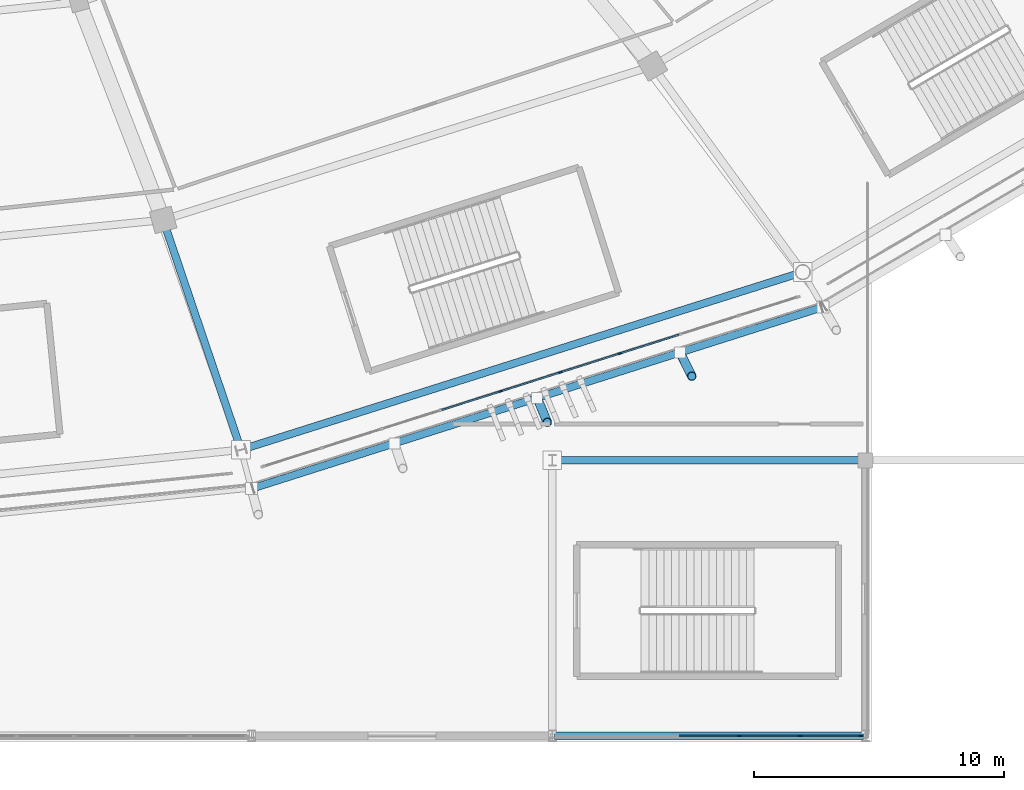
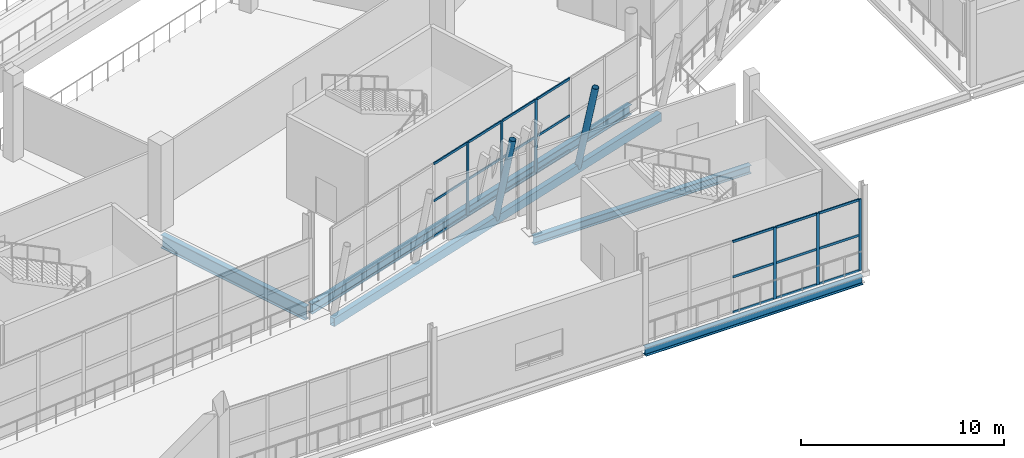
# One storey, part 50 of 178: 29 members, 5 beams, 2 elements without a shape of their own.
"""IFC4 building model written with IfcOpenShell, lengths in metres."""

from ifc_helpers import new_model, si_unit, direction, frame, origin, origin_2d, place, context, subcontext, project, spatial, rectangle, hollow_rectangle, hollow_circle, i_section, extrude, material, material_profile, profile_set, type_object, element, aggregate, save


model = new_model("IFC4")

# Units and contexts
model_context = context("Model", 3, precision=1e-05, world=origin(), true_north=direction((0.0, 1.0)))
body_context = subcontext(model_context, "Body", "Model", "MODEL_VIEW")
ifc_project = project(units=[si_unit("LENGTHUNIT", "METRE"), si_unit("AREAUNIT", "SQUARE_METRE"), si_unit("VOLUMEUNIT", "CUBIC_METRE"), si_unit("PLANEANGLEUNIT", "RADIAN"), si_unit("MASSUNIT", "GRAM", prefix="KILO")], contexts=[model_context])

# Site, building, storey
site_placement = place(None, origin())
site = spatial("IfcSite", under=ifc_project, at=site_placement, CompositionType="ELEMENT")
building_placement = place(site_placement, origin())
building = spatial("IfcBuilding", under=site, at=building_placement, Name="Zlatoyarsky Gate Stadium", CompositionType="ELEMENT")
storey_placement = place(building_placement, frame((0.0, 0.0, 5.39990234375)))
storey = spatial("IfcBuildingStorey", under=building, at=storey_placement, Name="L01", CompositionType="ELEMENT", Elevation=5.39990234375)

# Curtain wall, members
ifc_material_1 = material(Name="Thermally broken anodised aluminium curtain wall", Category="aluminium")
curtain_wall_type_1 = type_object("IfcCurtainWallType", Name="UNITISED HOSPITALITY GLAZING L01", PredefinedType="USERDEFINED", material=ifc_material_1)
curtain_wall_1_placement = place(storey_placement, origin())
curtain_wall_1 = element("IfcCurtainWall", 1, at=curtain_wall_1_placement, inside=storey, type_object=curtain_wall_type_1, Name="Curtain wall CW-L01-19", ObjectType="UNITISED GLAZING", PredefinedType="USERDEFINED")
ifc_material_2 = material(Name="Anodised aluminium 6063-T6", Category="aluminium")
ifc_material_profile_1 = material_profile(ifc_material_2, rectangle(XDim=0.06494140625, YDim=0.159912109375, at=origin_2d()), Name="ALU 65X160")
ifc_profile_set_1 = profile_set([ifc_material_profile_1], Name="Anodised aluminium 6063-T6")
member_type_1 = type_object("IfcMemberType", Name="ALUMINIUM MULLION 65X160", PredefinedType="MULLION", material=ifc_profile_set_1)
member_1_placement = place(storey_placement, frame((145.4404296875, 13.75634765625, 0.0), z_axis=(0.0, 0.0, 1.0), x_axis=(-0.302333944964, 0.953202069722, 0.0)))
member_1 = element("IfcMember", 2, at=member_1_placement, type_object=member_type_1, Name="CW-UG1 mullion 5", PredefinedType="MULLION", context=body_context, shape_type="SweptSolid", body=[
    extrude(rectangle(XDim=0.06494140625, YDim=0.159912109375, at=origin_2d()), origin(), (0.0, 0.0, 1.0), 4.400146484375),
])
member_2_placement = place(storey_placement, frame((147.8193359375, 14.5107421875, 0.0), z_axis=(0.0, 0.0, 1.0), x_axis=(-0.302333944964, 0.953202069722, 0.0)))
member_2 = element("IfcMember", 3, at=member_2_placement, type_object=member_type_1, Name="CW-UG1 mullion 6", PredefinedType="MULLION", context=body_context, shape_type="SweptSolid", body=[
    extrude(rectangle(XDim=0.06494140625, YDim=0.159912109375, at=origin_2d()), origin(), (0.0, 0.0, 1.0), 4.400146484375),
])
member_3_placement = place(storey_placement, frame((150.197998046875, 15.265380859375, 0.0), z_axis=(0.0, 0.0, 1.0), x_axis=(-0.302333944964, 0.953202069722, 0.0)))
member_3 = element("IfcMember", 4, at=member_3_placement, type_object=member_type_1, Name="CW-UG1 mullion 7", PredefinedType="MULLION", context=body_context, shape_type="SweptSolid", body=[
    extrude(rectangle(XDim=0.06494140625, YDim=0.159912109375, at=origin_2d()), origin(), (0.0, 0.0, 1.0), 4.400146484375),
])

curtain_wall_type_2 = type_object("IfcCurtainWallType", Name="WINTER GARDEN CONSERVATORY GLAZING", PredefinedType="USERDEFINED", material=ifc_material_1)
curtain_wall_2_placement = place(storey_placement, origin())
curtain_wall_2 = element("IfcCurtainWall", 5, at=curtain_wall_2_placement, inside=storey, type_object=curtain_wall_type_2, Name="Curtain wall CW-V3_SOUTH-L01-160", ObjectType="UNITISED GLAZING", PredefinedType="USERDEFINED")
member_4_placement = place(storey_placement, frame((154.967529296875, 0.0, 0.0), z_axis=(0.0, 0.0, 1.0), x_axis=(0.0, 1.0, 0.0)))
member_4 = element("IfcMember", 6, at=member_4_placement, type_object=member_type_1, Name="CW-WG1 mullion 4", PredefinedType="MULLION", context=body_context, shape_type="SweptSolid", body=[
    extrude(rectangle(XDim=0.06494140625, YDim=0.159912109375, at=origin_2d()), origin(), (0.0, 0.0, 1.0), 4.300048828125),
])
member_5_placement = place(storey_placement, frame((157.40283203125, 0.0, 0.0), z_axis=(0.0, 0.0, 1.0), x_axis=(0.0, 1.0, 0.0)))
member_5 = element("IfcMember", 7, at=member_5_placement, type_object=member_type_1, Name="CW-WG1 mullion 5", PredefinedType="MULLION", context=body_context, shape_type="SweptSolid", body=[
    extrude(rectangle(XDim=0.06494140625, YDim=0.159912109375, at=origin_2d()), origin(), (0.0, 0.0, 1.0), 4.300048828125),
])
member_6_placement = place(storey_placement, frame((159.805419921875, 0.0, 0.0), z_axis=(0.0, 0.0, 1.0), x_axis=(0.0, 1.0, 0.0)))
member_6 = element("IfcMember", 8, at=member_6_placement, type_object=member_type_1, Name="CW-WG1 mullion 6", PredefinedType="MULLION", context=body_context, shape_type="SweptSolid", body=[
    extrude(rectangle(XDim=0.06494140625, YDim=0.159912109375, at=origin_2d()), origin(), (0.0, 0.0, 1.0), 4.300048828125),
])

# Member
ifc_material_profile_2 = material_profile(ifc_material_2, rectangle(XDim=0.06494140625, YDim=0.139892578125, at=origin_2d()), Name="ALU 65X140")
ifc_profile_set_2 = profile_set([ifc_material_profile_2], Name="Anodised aluminium 6063-T6")
member_type_2 = type_object("IfcMemberType", Name="ALUMINIUM TRANSOM 65X140", PredefinedType="USERDEFINED", material=ifc_profile_set_2)
member_7_placement = place(storey_placement, frame((143.092529296875, 13.011474609375, 0.03271484375), z_axis=(0.953173451414, 0.302424158294, 0.0), x_axis=(-0.302424158294, 0.953173451414, 0.0)))
member_7 = element("IfcMember", 9, at=member_7_placement, type_object=member_type_2, Name="CW-UG1 transom 4.1", ObjectType="TRANSOM", PredefinedType="USERDEFINED", context=body_context, shape_type="SweptSolid", body=[
    extrude(rectangle(XDim=0.06494140625, YDim=0.139892578125, at=origin_2d()), origin(), (0.0, 0.0, 1.0), 2.4306640625),
])

member_8_placement = place(storey_placement, frame((143.092529296875, 13.011474609375, 2.150146484375), z_axis=(0.953173451414, 0.302424158294, 0.0), x_axis=(-0.302424158294, 0.953173451414, 0.0)))
member_8 = element("IfcMember", 10, at=member_8_placement, type_object=member_type_2, Name="CW-UG1 transom 4.2", ObjectType="TRANSOM", PredefinedType="USERDEFINED", context=body_context, shape_type="SweptSolid", body=[
    extrude(rectangle(XDim=0.06494140625, YDim=0.139892578125, at=origin_2d()), origin(), (0.0, 0.0, 1.0), 2.4306640625),
])

member_9_placement = place(storey_placement, frame((143.092529296875, 13.011474609375, 4.36767578125), z_axis=(0.953173451414, 0.302424158294, 0.0), x_axis=(-0.302424158294, 0.953173451414, 0.0)))
member_9 = element("IfcMember", 11, at=member_9_placement, type_object=member_type_2, Name="CW-UG1 transom 4.3", ObjectType="TRANSOM", PredefinedType="USERDEFINED", context=body_context, shape_type="SweptSolid", body=[
    extrude(rectangle(XDim=0.06494140625, YDim=0.139892578125, at=origin_2d()), origin(), (0.0, 0.0, 1.0), 2.4306640625),
])

member_10_placement = place(storey_placement, frame((145.471435546875, 13.76611328125, 0.03271484375), z_axis=(0.953202400963, 0.302332900622, 0.0), x_axis=(-0.302332900622, 0.953202400963, 0.0)))
member_10 = element("IfcMember", 12, at=member_10_placement, type_object=member_type_2, Name="CW-UG1 transom 5.1", ObjectType="TRANSOM", PredefinedType="USERDEFINED", context=body_context, shape_type="SweptSolid", body=[
    extrude(rectangle(XDim=0.06494140625, YDim=0.139892578125, at=origin_2d()), origin(), (0.0, 0.0, 1.0), 2.4306640625),
])

member_11_placement = place(storey_placement, frame((145.471435546875, 13.76611328125, 2.150146484375), z_axis=(0.953202400963, 0.302332900622, 0.0), x_axis=(-0.302332900622, 0.953202400963, 0.0)))
member_11 = element("IfcMember", 13, at=member_11_placement, type_object=member_type_2, Name="CW-UG1 transom 5.2", ObjectType="TRANSOM", PredefinedType="USERDEFINED", context=body_context, shape_type="SweptSolid", body=[
    extrude(rectangle(XDim=0.06494140625, YDim=0.139892578125, at=origin_2d()), origin(), (0.0, 0.0, 1.0), 2.4306640625),
])

member_12_placement = place(storey_placement, frame((145.471435546875, 13.76611328125, 4.36767578125), z_axis=(0.953202400963, 0.302332900622, 0.0), x_axis=(-0.302332900622, 0.953202400963, 0.0)))
member_12 = element("IfcMember", 14, at=member_12_placement, type_object=member_type_2, Name="CW-UG1 transom 5.3", ObjectType="TRANSOM", PredefinedType="USERDEFINED", context=body_context, shape_type="SweptSolid", body=[
    extrude(rectangle(XDim=0.06494140625, YDim=0.139892578125, at=origin_2d()), origin(), (0.0, 0.0, 1.0), 2.4306640625),
])

member_13_placement = place(storey_placement, frame((147.85009765625, 14.520751953125, 0.03271484375), z_axis=(0.953211580639, 0.302303957194, 0.0), x_axis=(-0.302303957194, 0.953211580639, 0.0)))
member_13 = element("IfcMember", 15, at=member_13_placement, type_object=member_type_2, Name="CW-UG1 transom 6.1", ObjectType="TRANSOM", PredefinedType="USERDEFINED", context=body_context, shape_type="SweptSolid", body=[
    extrude(rectangle(XDim=0.06494140625, YDim=0.139892578125, at=origin_2d()), origin(), (0.0, 0.0, 1.0), 2.430908203125),
])

member_14_placement = place(storey_placement, frame((147.85009765625, 14.520751953125, 2.150146484375), z_axis=(0.953211580639, 0.302303957194, 0.0), x_axis=(-0.302303957194, 0.953211580639, 0.0)))
member_14 = element("IfcMember", 16, at=member_14_placement, type_object=member_type_2, Name="CW-UG1 transom 6.2", ObjectType="TRANSOM", PredefinedType="USERDEFINED", context=body_context, shape_type="SweptSolid", body=[
    extrude(rectangle(XDim=0.06494140625, YDim=0.139892578125, at=origin_2d()), origin(), (0.0, 0.0, 1.0), 2.430908203125),
])

member_15_placement = place(storey_placement, frame((147.85009765625, 14.520751953125, 4.36767578125), z_axis=(0.953211580639, 0.302303957194, 0.0), x_axis=(-0.302303957194, 0.953211580639, 0.0)))
member_15 = element("IfcMember", 17, at=member_15_placement, type_object=member_type_2, Name="CW-UG1 transom 6.3", ObjectType="TRANSOM", PredefinedType="USERDEFINED", context=body_context, shape_type="SweptSolid", body=[
    extrude(rectangle(XDim=0.06494140625, YDim=0.139892578125, at=origin_2d()), origin(), (0.0, 0.0, 1.0), 2.430908203125),
])

member_16_placement = place(storey_placement, frame((150.22900390625, 15.275146484375, 0.03271484375), z_axis=(0.953202400963, 0.302332900622, 0.0), x_axis=(-0.302332900622, 0.953202400963, 0.0)))
member_16 = element("IfcMember", 18, at=member_16_placement, type_object=member_type_2, Name="CW-UG1 transom 7.1", ObjectType="TRANSOM", PredefinedType="USERDEFINED", context=body_context, shape_type="SweptSolid", body=[
    extrude(rectangle(XDim=0.06494140625, YDim=0.139892578125, at=origin_2d()), origin(), (0.0, 0.0, 1.0), 2.4306640625),
])

member_17_placement = place(storey_placement, frame((150.22900390625, 15.275146484375, 2.150146484375), z_axis=(0.953202400963, 0.302332900622, 0.0), x_axis=(-0.302332900622, 0.953202400963, 0.0)))
member_17 = element("IfcMember", 19, at=member_17_placement, type_object=member_type_2, Name="CW-UG1 transom 7.2", ObjectType="TRANSOM", PredefinedType="USERDEFINED", context=body_context, shape_type="SweptSolid", body=[
    extrude(rectangle(XDim=0.06494140625, YDim=0.139892578125, at=origin_2d()), origin(), (0.0, 0.0, 1.0), 2.4306640625),
])

member_18_placement = place(storey_placement, frame((150.22900390625, 15.275146484375, 4.36767578125), z_axis=(0.953202400963, 0.302332900622, 0.0), x_axis=(-0.302332900622, 0.953202400963, 0.0)))
member_18 = element("IfcMember", 20, at=member_18_placement, type_object=member_type_2, Name="CW-UG1 transom 7.3", ObjectType="TRANSOM", PredefinedType="USERDEFINED", context=body_context, shape_type="SweptSolid", body=[
    extrude(rectangle(XDim=0.06494140625, YDim=0.139892578125, at=origin_2d()), origin(), (0.0, 0.0, 1.0), 2.4306640625),
])

aggregate(curtain_wall_1, [member_1, member_2, member_3, member_7, member_8, member_9, member_10, member_11, member_12, member_13, member_14, member_15, member_16, member_17, member_18])

member_19_placement = place(storey_placement, frame((152.56494140625, 0.0, 0.03271484375), z_axis=(1.0, 0.0, 0.0), x_axis=(0.0, 1.0, 0.0)))
member_19 = element("IfcMember", 21, at=member_19_placement, type_object=member_type_2, Name="CW-WG1 transom 3.1", ObjectType="TRANSOM", PredefinedType="USERDEFINED", context=body_context, shape_type="SweptSolid", body=[
    extrude(rectangle(XDim=0.06494140625, YDim=0.139892578125, at=origin_2d()), origin(), (0.0, 0.0, 1.0), 2.3701171875),
])

member_20_placement = place(storey_placement, frame((152.56494140625, 0.0, 2.150146484375), z_axis=(1.0, 0.0, 0.0), x_axis=(0.0, 1.0, 0.0)))
member_20 = element("IfcMember", 22, at=member_20_placement, type_object=member_type_2, Name="CW-WG1 transom 3.2", ObjectType="TRANSOM", PredefinedType="USERDEFINED", context=body_context, shape_type="SweptSolid", body=[
    extrude(rectangle(XDim=0.06494140625, YDim=0.139892578125, at=origin_2d()), origin(), (0.0, 0.0, 1.0), 2.3701171875),
])

member_21_placement = place(storey_placement, frame((152.56494140625, 0.0, 4.267578125), z_axis=(1.0, 0.0, 0.0), x_axis=(0.0, 1.0, 0.0)))
member_21 = element("IfcMember", 23, at=member_21_placement, type_object=member_type_2, Name="CW-WG1 transom 3.3", ObjectType="TRANSOM", PredefinedType="USERDEFINED", context=body_context, shape_type="SweptSolid", body=[
    extrude(rectangle(XDim=0.06494140625, YDim=0.139892578125, at=origin_2d()), origin(), (0.0, 0.0, 1.0), 2.3701171875),
])

member_22_placement = place(storey_placement, frame((155.0, 0.0, 0.03271484375), z_axis=(1.0, 0.0, 0.0), x_axis=(0.0, 1.0, 0.0)))
member_22 = element("IfcMember", 24, at=member_22_placement, type_object=member_type_2, Name="CW-WG1 transom 4.1", ObjectType="TRANSOM", PredefinedType="USERDEFINED", context=body_context, shape_type="SweptSolid", body=[
    extrude(rectangle(XDim=0.06494140625, YDim=0.139892578125, at=origin_2d()), origin(), (0.0, 0.0, 1.0), 2.370361328125),
])

member_23_placement = place(storey_placement, frame((155.0, 0.0, 2.150146484375), z_axis=(1.0, 0.0, 0.0), x_axis=(0.0, 1.0, 0.0)))
member_23 = element("IfcMember", 25, at=member_23_placement, type_object=member_type_2, Name="CW-WG1 transom 4.2", ObjectType="TRANSOM", PredefinedType="USERDEFINED", context=body_context, shape_type="SweptSolid", body=[
    extrude(rectangle(XDim=0.06494140625, YDim=0.139892578125, at=origin_2d()), origin(), (0.0, 0.0, 1.0), 2.370361328125),
])

member_24_placement = place(storey_placement, frame((155.0, 0.0, 4.267578125), z_axis=(1.0, 0.0, 0.0), x_axis=(0.0, 1.0, 0.0)))
member_24 = element("IfcMember", 26, at=member_24_placement, type_object=member_type_2, Name="CW-WG1 transom 4.3", ObjectType="TRANSOM", PredefinedType="USERDEFINED", context=body_context, shape_type="SweptSolid", body=[
    extrude(rectangle(XDim=0.06494140625, YDim=0.139892578125, at=origin_2d()), origin(), (0.0, 0.0, 1.0), 2.370361328125),
])

member_25_placement = place(storey_placement, frame((157.435302734375, 0.0, 0.03271484375), z_axis=(1.0, 0.0, 0.0), x_axis=(0.0, 1.0, 0.0)))
member_25 = element("IfcMember", 27, at=member_25_placement, type_object=member_type_2, Name="CW-WG1 transom 5.1", ObjectType="TRANSOM", PredefinedType="USERDEFINED", context=body_context, shape_type="SweptSolid", body=[
    extrude(rectangle(XDim=0.06494140625, YDim=0.139892578125, at=origin_2d()), origin(), (0.0, 0.0, 1.0), 2.337646484375),
])

member_26_placement = place(storey_placement, frame((157.435302734375, 0.0, 2.150146484375), z_axis=(1.0, 0.0, 0.0), x_axis=(0.0, 1.0, 0.0)))
member_26 = element("IfcMember", 28, at=member_26_placement, type_object=member_type_2, Name="CW-WG1 transom 5.2", ObjectType="TRANSOM", PredefinedType="USERDEFINED", context=body_context, shape_type="SweptSolid", body=[
    extrude(rectangle(XDim=0.06494140625, YDim=0.139892578125, at=origin_2d()), origin(), (0.0, 0.0, 1.0), 2.337646484375),
])

member_27_placement = place(storey_placement, frame((157.435302734375, 0.0, 4.267578125), z_axis=(1.0, 0.0, 0.0), x_axis=(0.0, 1.0, 0.0)))
member_27 = element("IfcMember", 29, at=member_27_placement, type_object=member_type_2, Name="CW-WG1 transom 5.3", ObjectType="TRANSOM", PredefinedType="USERDEFINED", context=body_context, shape_type="SweptSolid", body=[
    extrude(rectangle(XDim=0.06494140625, YDim=0.139892578125, at=origin_2d()), origin(), (0.0, 0.0, 1.0), 2.337646484375),
])

aggregate(curtain_wall_2, [member_4, member_5, member_6, member_19, member_20, member_21, member_22, member_23, member_24, member_25, member_26, member_27])

# Members
ifc_material_3 = material(Name="Steel S355", Category="steel")
ifc_material_profile_3 = material_profile(ifc_material_3, hollow_circle(Radius=0.177734375, WallThickness=0.02001953125, at=origin_2d()), Name="CHS 355.6X20")
ifc_profile_set_3 = profile_set([ifc_material_profile_3], Name="Steel S355")
member_type_3 = type_object("IfcMemberType", Name="STEEL LEANING RIB RING STRUT CHS 355.6X20", PredefinedType="STRUT", material=ifc_profile_set_3)
member_28_placement = place(storey_placement, frame((146.8955078125, 13.492431640625, -0.5498046875), z_axis=(0.075999402803, -0.18358118711, 0.98006226257), x_axis=(0.923954987956, 0.382501215988, 0.0)))
element("IfcMember", 30, at=member_28_placement, inside=storey, type_object=member_type_3, Name="Outward-leaning bowl louvre fin rib L01 19-2", PredefinedType="STRUT", context=body_context, shape_type="SweptSolid", body=[
    extrude(hollow_circle(Radius=0.177734375, WallThickness=0.02001953125, at=origin_2d()), origin(), (0.0, 0.0, 1.0), 5.326171875),
])
member_29_placement = place(storey_placement, frame((152.599853515625, 15.305908203125, -0.5498046875), z_axis=(0.088092869249, -0.178569104367, 0.979975877944), x_axis=(0.896808320254, 0.442419299673, 0.0)))
element("IfcMember", 31, at=member_29_placement, inside=storey, type_object=member_type_3, Name="Outward-leaning bowl louvre fin rib L01 19-3", PredefinedType="STRUT", context=body_context, shape_type="SweptSolid", body=[
    extrude(hollow_circle(Radius=0.177734375, WallThickness=0.02001953125, at=origin_2d()), origin(), (0.0, 0.0, 1.0), 5.32666015625),
])

# Beams
ifc_material_profile_4 = material_profile(ifc_material_3, hollow_rectangle(XDim=0.300048828125, YDim=0.5, WallThickness=0.02001953125, at=origin_2d()), Name="RHS 500X300X20")
ifc_profile_set_4 = profile_set([ifc_material_profile_4], Name="Steel S355")
beam_type_1 = type_object("IfcBeamType", Name="STEEL LOUVRE CARRIER SPANDREL RHS 500X300X20", PredefinedType="SPANDREL", material=ifc_profile_set_4)
beam_1_placement = place(storey_placement, frame((135.505615234375, 9.87158203125, -0.5498046875), z_axis=(0.953005292775, 0.302953646525, 0.0), x_axis=(-0.302953646525, 0.953005292775, 0.0)))
element("IfcBeam", 32, at=beam_1_placement, inside=storey, type_object=beam_type_1, Name="Beam SP-RHS500 BM-L01-SPD-19", PredefinedType="SPANDREL", context=body_context, shape_type="SweptSolid", body=[
    extrude(hollow_rectangle(XDim=0.300048828125, YDim=0.5, WallThickness=0.02001953125, at=origin_2d()), origin(), (0.0, 0.0, 1.0), 23.90283203125),
])
ifc_material_profile_5 = material_profile(ifc_material_3, i_section(OverallWidth=0.300048828125, OverallDepth=0.5, WebThickness=0.014404296875, FlangeThickness=0.028076171875, FilletRadius=0.027099609375, at=origin_2d()), Name="HEB 500")
ifc_profile_set_5 = profile_set([ifc_material_profile_5], Name="Steel S355")
beam_type_2 = type_object("IfcBeamType", Name="STEEL PRIMARY GIRDER HEB 500", PredefinedType="BEAM", material=ifc_profile_set_5)
for number, where, z_axis, x_axis, name in (
    (33, (147.580078125, 0.0, -0.5498046875), (1.0, 0.0, 0.0), (0.0, 1.0, 0.0), "Beam G-HEB500 BM-L01-WGX-13-A"),
    (34, (147.580078125, 11.0, -0.5498046875), (1.0, 0.0, 0.0), (0.0, 1.0, 0.0), "Beam G-HEB500 BM-L01-WGX-13-B"),
):
    element("IfcBeam", number, at=place(storey_placement, frame(where, z_axis=z_axis, x_axis=x_axis)), inside=storey, type_object=beam_type_2, Name=name, PredefinedType="BEAM", context=body_context, shape_type="SweptSolid", body=[
        extrude(i_section(OverallWidth=0.300048828125, OverallDepth=0.5, WebThickness=0.014404296875, FlangeThickness=0.028076171875, FilletRadius=0.027099609375, at=origin_2d()), origin(), (0.0, 0.0, 1.0), 12.33984375),
    ])
ifc_material_profile_6 = material_profile(ifc_material_3, i_section(OverallWidth=0.300048828125, OverallDepth=0.60009765625, WebThickness=0.015380859375, FlangeThickness=0.030029296875, FilletRadius=0.027099609375, at=origin_2d()), Name="HEB 600")
ifc_profile_set_6 = profile_set([ifc_material_profile_6], Name="Steel S355")
beam_type_3 = type_object("IfcBeamType", Name="STEEL PRIMARY GIRDER HEB 600", PredefinedType="BEAM", material=ifc_profile_set_6)
beam_2_placement = place(storey_placement, frame((135.1845703125, 11.45556640625, -0.599853515625), z_axis=(0.953463107403, 0.301509706015, 0.0), x_axis=(-0.301509706015, 0.953463107403, 0.0)))
element("IfcBeam", 35, at=beam_2_placement, inside=storey, type_object=beam_type_3, Name="Beam G-HEB600 BM-L01-CRC-19", PredefinedType="BEAM", context=body_context, shape_type="SweptSolid", body=[
    extrude(i_section(OverallWidth=0.300048828125, OverallDepth=0.60009765625, WebThickness=0.015380859375, FlangeThickness=0.030029296875, FilletRadius=0.027099609375, at=origin_2d()), origin(), (0.0, 0.0, 1.0), 23.284423828125),
])
ifc_material_profile_7 = material_profile(ifc_material_3, i_section(OverallWidth=0.300048828125, OverallDepth=0.800048828125, WebThickness=0.017578125, FlangeThickness=0.032958984375, FilletRadius=0.030029296875, at=origin_2d()), Name="HEB 800")
ifc_profile_set_7 = profile_set([ifc_material_profile_7], Name="Steel S355")
beam_type_4 = type_object("IfcBeamType", Name="STEEL PRIMARY GIRDER HEB 800", PredefinedType="BEAM", material=ifc_profile_set_7)
beam_3_placement = place(storey_placement, frame((132.002685546875, 20.48193359375, -0.85986328125), z_axis=(0.320612225581, -0.947210536686, 0.0), x_axis=(0.947210536686, 0.320612225581, 0.0)))
element("IfcBeam", 36, at=beam_3_placement, inside=storey, type_object=beam_type_4, Name="Beam G-HEB800 BM-L01-RBC-19", PredefinedType="BEAM", context=body_context, shape_type="SweptSolid", body=[
    extrude(i_section(OverallWidth=0.300048828125, OverallDepth=0.800048828125, WebThickness=0.017578125, FlangeThickness=0.032958984375, FilletRadius=0.030029296875, at=origin_2d()), origin(), (0.0, 0.0, 1.0), 9.44775390625),
])

save(model, "model.ifc")
